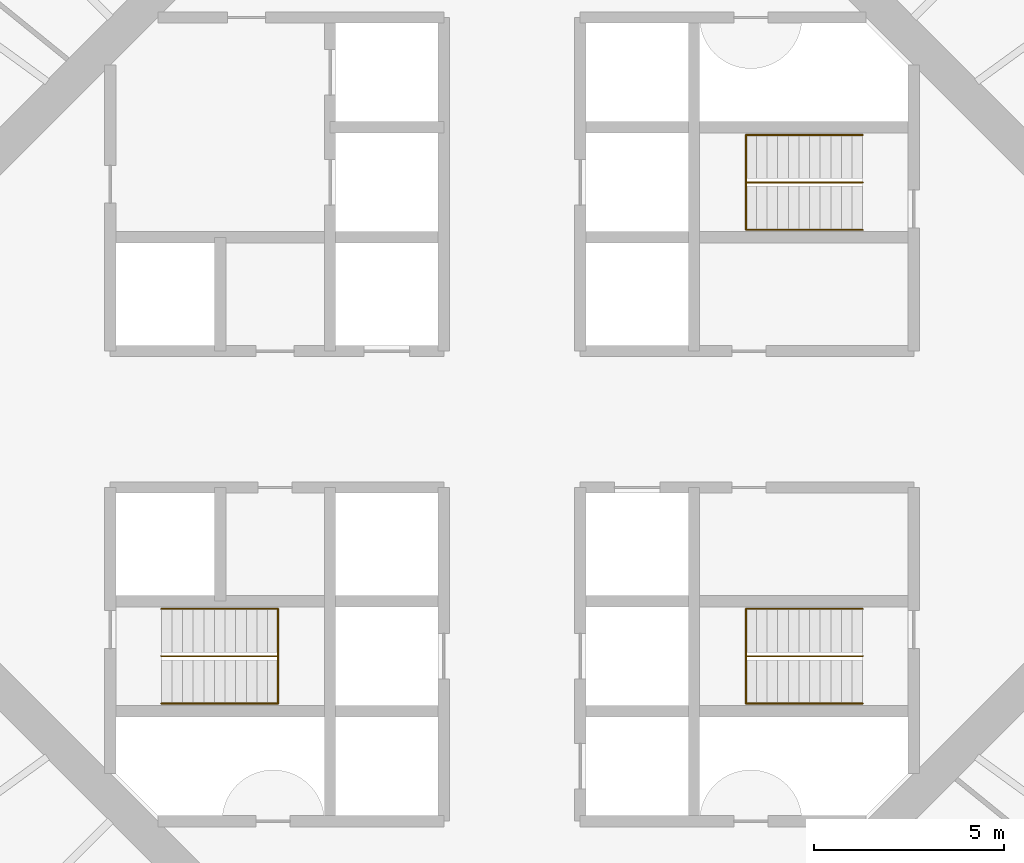
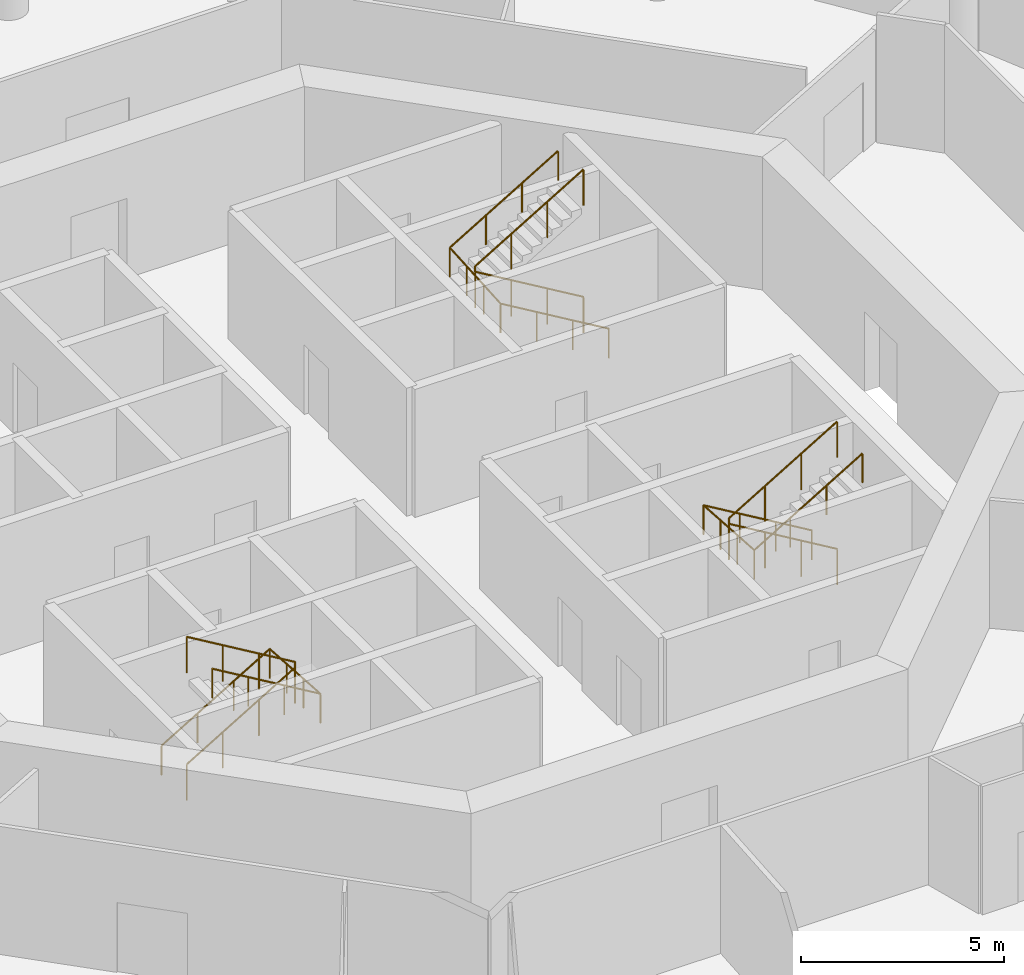
# One storey, part 13 of 13: 6 railings.
"""IFC4 building model written with IfcOpenShell, lengths in metres."""

import ifcopenshell
import ifcopenshell.guid

model = None  # the IFC model being written
_history = None  # IfcOwnerHistory: only IFC2X3 demands one
_inside = {}  # id of a spatial element -> (the spatial element, [elements in it])
_under = {}  # id of a project, library or spatial element -> (it, [spatial elements below it])
_declared = {}  # id of a project -> (the project, [libraries it declares])
_typed = {}  # id of a type object -> (the type object, [elements of that type])
_made_of = {}  # id of a material, layer set ... -> (it, [elements and type objects made of it])


def new_model(schema):
    """Start an empty IFC model of exactly this schema.

    Asked for "IFC4X3", IfcOpenShell would pick the latest addendum, in which some entities
    have other attributes; the version numbers below select the first issue.
    IFC2X3 requires an IfcOwnerHistory on every rooted entity: one is made here for all.
    """
    global model, _history
    if schema == "IFC4X3":
        model = ifcopenshell.file(schema_version=(4, 3, 0, 0))
    else:
        model = ifcopenshell.file(schema=schema)
    _inside.clear()
    _under.clear()
    _declared.clear()
    _typed.clear()
    _made_of.clear()
    _history = None
    if model.schema == "IFC2X3":
        org = make("IfcOrganization", Name="unknown")
        user = make(
            "IfcPersonAndOrganization",
            ThePerson=make("IfcPerson", FamilyName="unknown"),
            TheOrganization=org,
        )
        app = make(
            "IfcApplication",
            ApplicationDeveloper=org,
            Version="unknown",
            ApplicationFullName="unknown",
            ApplicationIdentifier="unknown",
        )
        _history = make(
            "IfcOwnerHistory",
            OwningUser=user,
            OwningApplication=app,
            ChangeAction="ADDED",
            CreationDate=0,
        )
    return model


def make(cls, **values):
    """One entity of the class cls with the attributes given. An attribute that is None is left unset."""
    return model.create_entity(
        cls, **{name: value for name, value in values.items() if value is not None}
    )


def rooted(cls, **values):
    """An entity with a GlobalId (a new one), such as an element, a storey or a relation."""
    return make(cls, GlobalId=ifcopenshell.guid.new(), OwnerHistory=_history, **values)


def si_unit(unit_type, name, prefix=None):
    """IfcSIUnit, for example si_unit("LENGTHUNIT", "METRE", prefix="MILLI")."""
    return make("IfcSIUnit", UnitType=unit_type, Prefix=prefix, Name=name)


def assignment(units):
    """IfcUnitAssignment: the units of a project."""
    return None if units is None else make("IfcUnitAssignment", Units=units)


def point(xyz):
    """IfcCartesianPoint."""
    return None if xyz is None else make("IfcCartesianPoint", Coordinates=xyz)


def direction(xyz):
    """IfcDirection."""
    return None if xyz is None else make("IfcDirection", DirectionRatios=xyz)


def frame(location, z_axis=None, x_axis=None):
    """IfcAxis2Placement3D, a coordinate frame: its origin and axes. An axis left out is left unset."""
    return make(
        "IfcAxis2Placement3D",
        Location=point(location),
        Axis=direction(z_axis),
        RefDirection=direction(x_axis),
    )


def frame_2d(location, x_axis=None):
    """IfcAxis2Placement2D, a coordinate frame in the plane: its origin and x axis."""
    return make(
        "IfcAxis2Placement2D", Location=point(location), RefDirection=direction(x_axis)
    )


def origin():
    """The frame at (0, 0, 0) with its axes left unset."""
    return frame((0.0, 0.0, 0.0))


def origin_2d():
    """The frame at (0, 0) in the plane with its x axis left unset."""
    return frame_2d((0.0, 0.0))


def place(relative_to, where):
    """IfcLocalPlacement: puts the frame where relative to a parent placement (None: the world)."""
    return make(
        "IfcLocalPlacement", PlacementRelTo=relative_to, RelativePlacement=where
    )


def context(
    kind, dimensions, precision=None, world=None, true_north=None, identifier=None
):
    """IfcGeometricRepresentationContext, for example the 3D "Model" context."""
    return make(
        "IfcGeometricRepresentationContext",
        ContextIdentifier=identifier,
        ContextType=kind,
        CoordinateSpaceDimension=dimensions,
        Precision=precision,
        WorldCoordinateSystem=world,
        TrueNorth=true_north,
    )


def subcontext(parent, identifier, kind, view, scale=None):
    """IfcGeometricRepresentationSubContext, for example "Body" below "Model"."""
    return make(
        "IfcGeometricRepresentationSubContext",
        ContextIdentifier=identifier,
        ContextType=kind,
        ParentContext=parent,
        TargetScale=scale,
        TargetView=view,
    )


def project(units=None, contexts=None):
    """IfcProject with its units and contexts."""
    return rooted(
        "IfcProject",
        Name="project",
        RepresentationContexts=contexts,
        UnitsInContext=assignment(units),
    )


def spatial(cls, under=None, at=None, **own):
    """A site, building, storey or space (cls), placed at a placement, below another one or the project."""
    s = rooted(cls, ObjectPlacement=at, **own)
    if under is not None:
        _under.setdefault(under.id(), (under, []))[1].append(s)
    return s


def profile(cls, at=None, kind="AREA", **sizes):
    """A parametric profile (cls). Its sizes go by their IFC names, for example OverallWidth=200.0."""
    return make(cls, ProfileType=kind, Position=at, **sizes)


def circle(**sizes):
    """IfcCircleProfileDef."""
    return profile("IfcCircleProfileDef", **sizes)


def extrude(swept, where, along, depth):
    """IfcExtrudedAreaSolid: the profile swept, set in the frame where, extruded along a direction by depth."""
    return make(
        "IfcExtrudedAreaSolid",
        SweptArea=swept,
        Position=where,
        ExtrudedDirection=direction(along),
        Depth=depth,
    )


def shape(context_of_items, identifier, shape_type, items):
    """IfcShapeRepresentation: the items that make up one representation, for example the "Body"."""
    return make(
        "IfcShapeRepresentation",
        ContextOfItems=context_of_items,
        RepresentationIdentifier=identifier,
        RepresentationType=shape_type,
        Items=items,
    )


def material(Name=None, Category=None):
    """IfcMaterial."""
    return make("IfcMaterial", Name=Name, Category=Category)


def made_of(thing, what):
    """Note that an element or type object is made of a material, layer set ...; save() writes the relation."""
    if what is not None:
        _made_of.setdefault(what.id(), (what, []))[1].append(thing)
    return thing


def type_object(cls, material=None, **own):
    """A type object (cls), such as IfcWallType, which elements share."""
    return made_of(rooted(cls, **own), material)


def element(
    cls,
    number,
    at=None,
    inside=None,
    cuts=None,
    type_object=None,
    material=None,
    context=None,
    identifier="Body",
    shape_type=None,
    held_by="IfcProductDefinitionShape",
    body=None,
    shapes=None,
    **own,
):
    """One element of the class cls, such as IfcWall. Its Tag is "e" and its number.

    at: its placement. inside: the storey or other place that contains it. cuts: it is an
    opening in that element (IfcRelVoidsElement). A single representation is given by context,
    identifier, shape_type and body (its items); several are given by shapes. held_by: the class
    of the entity that holds the representations. save() writes the other relations.
    """
    e = rooted(cls, Tag="e%d" % number, ObjectPlacement=at, **own)
    if body is not None:
        shapes = [shape(context, identifier, shape_type, body)]
    if shapes is not None:
        e.Representation = make(held_by, Representations=shapes)
    if inside is not None:
        _inside.setdefault(inside.id(), (inside, []))[1].append(e)
    if cuts is not None:
        rooted(
            "IfcRelVoidsElement", RelatingBuildingElement=cuts, RelatedOpeningElement=e
        )
    if type_object is not None:
        _typed.setdefault(type_object.id(), (type_object, []))[1].append(e)
    return made_of(e, material)


def aggregate(whole, parts):
    """IfcRelAggregates: a whole, such as a stair, and the parts it consists of."""
    return rooted("IfcRelAggregates", RelatingObject=whole, RelatedObjects=parts)


def save(model, path):
    """Write the relations noted so far, then the file.

    IfcRelAggregates (storeys below a building ...), IfcRelContainedInSpatialStructure (elements
    in a storey), IfcRelDefinesByType, IfcRelAssociatesMaterial and IfcRelDeclares: one each for
    every whole, place, type object, material and project.
    """
    for whole, parts in _under.values():
        aggregate(whole, parts)
    for where, things in _inside.values():
        rooted(
            "IfcRelContainedInSpatialStructure",
            RelatedElements=things,
            RelatingStructure=where,
        )
    for kind, things in _typed.values():
        rooted("IfcRelDefinesByType", RelatedObjects=things, RelatingType=kind)
    for what, things in _made_of.values():
        rooted("IfcRelAssociatesMaterial", RelatedObjects=things, RelatingMaterial=what)
    for by, libraries in _declared.values():
        rooted("IfcRelDeclares", RelatingContext=by, RelatedDefinitions=libraries)
    model.write(path)


model = new_model("IFC4")

# Units and contexts
model_context = context("Model", 3, precision=1e-05, world=origin(), true_north=direction((0.0, 1.0)))
body_context = subcontext(model_context, "Body", "Model", "MODEL_VIEW")
ifc_project = project(units=[si_unit("LENGTHUNIT", "METRE"), si_unit("AREAUNIT", "SQUARE_METRE"), si_unit("VOLUMEUNIT", "CUBIC_METRE"), si_unit("PLANEANGLEUNIT", "RADIAN"), si_unit("MASSUNIT", "GRAM", prefix="KILO")], contexts=[model_context])

# Site, building, storey
site_placement = place(None, origin())
site = spatial("IfcSite", under=ifc_project, at=site_placement, CompositionType="ELEMENT")
building_placement = place(site_placement, origin())
building = spatial("IfcBuilding", under=site, at=building_placement, Name="Entoto Ring Tower", CompositionType="ELEMENT")
storey_placement = place(building_placement, frame((0.0, 0.0, 250.0)))
storey = spatial("IfcBuildingStorey", under=building, at=storey_placement, Name="L57", CompositionType="ELEMENT", Elevation=250.0)

# Railings
ifc_material_1 = material(Name="Steel S275", Category="steel")
railing_type_1 = type_object("IfcRailingType", Name="Stair guard 1100 mm steel", PredefinedType="GUARDRAIL", material=ifc_material_1)
railing_1_placement = place(storey_placement, frame((99.25, 86.25, 0.166748046875)))
element("IfcRailing", 1, at=railing_1_placement, inside=storey, type_object=railing_type_1, Name="Guard ST1", PredefinedType="GUARDRAIL", context=body_context, shape_type="SweptSolid", body=[
    extrude(circle(Radius=0.02392578125, at=origin_2d()), frame((0.0, 0.0, 1.076171875), z_axis=(-0.859308565015, 0.0, 0.511457515432), x_axis=(0.0, -1.0, 0.0)), (0.0, 0.0, 1.0), 3.58447265625),
    extrude(circle(Radius=0.02392578125, at=origin_2d()), frame((-3.080078125, 0.0, 2.9091796875), z_axis=(0.0, 0.0, 1.0), x_axis=(1.0, 0.0, 0.0)), (0.0, 0.0, 1.0), 0.166748046875),
    extrude(circle(Radius=0.02392578125, at=origin_2d()), frame((-3.080078125, 0.0, 3.076171875), z_axis=(0.859308565015, 0.0, 0.511457515432), x_axis=(0.0, 1.0, 0.0)), (0.0, 0.0, 1.0), 3.58447265625),
    extrude(circle(Radius=0.02099609375, at=origin_2d()), origin(), (0.0, 0.0, 1.0), 1.052001953125),
    extrude(circle(Radius=0.02099609375, at=origin_2d()), frame((-1.026611328125, 0.0, 0.611083984375)), (0.0, 0.0, 1.0), 1.052001953125),
    extrude(circle(Radius=0.02099609375, at=origin_2d()), frame((-2.053466796875, 0.0, 1.22216796875)), (0.0, 0.0, 1.0), 1.052001953125),
    extrude(circle(Radius=0.02099609375, at=origin_2d()), frame((-3.080078125, 0.0, 1.833251953125)), (0.0, 0.0, 1.0), 1.052001953125),
    extrude(circle(Radius=0.02099609375, at=origin_2d()), frame((-3.080078125, 0.0, 2.0)), (0.0, 0.0, 1.0), 1.052001953125),
    extrude(circle(Radius=0.02099609375, at=origin_2d()), frame((-2.053466796875, 0.0, 2.611083984375)), (0.0, 0.0, 1.0), 1.052001953125),
    extrude(circle(Radius=0.02099609375, at=origin_2d()), frame((-1.026611328125, 0.0, 3.22216796875)), (0.0, 0.0, 1.0), 1.052001953125),
    extrude(circle(Radius=0.02099609375, at=origin_2d()), frame((0.0, 0.0, 3.833251953125)), (0.0, 0.0, 1.0), 1.052001953125),
])
railing_2_placement = place(storey_placement, frame((80.75, 73.75, 0.166748046875)))
element("IfcRailing", 2, at=railing_2_placement, inside=storey, type_object=railing_type_1, Name="Guard ST2", PredefinedType="GUARDRAIL", context=body_context, shape_type="SweptSolid", body=[
    extrude(circle(Radius=0.02392578125, at=origin_2d()), frame((0.0, 0.0, 1.076171875), z_axis=(0.859308565015, 0.0, 0.511457515432), x_axis=(0.0, 1.0, 0.0)), (0.0, 0.0, 1.0), 3.58447265625),
    extrude(circle(Radius=0.02392578125, at=origin_2d()), frame((3.080078125, 0.0, 2.9091796875), z_axis=(0.0, 0.0, 1.0), x_axis=(1.0, 0.0, 0.0)), (0.0, 0.0, 1.0), 0.166748046875),
    extrude(circle(Radius=0.02392578125, at=origin_2d()), frame((3.080078125, 0.0, 3.076171875), z_axis=(-0.859308565015, 0.0, 0.511457515432), x_axis=(0.0, -1.0, 0.0)), (0.0, 0.0, 1.0), 3.58447265625),
    extrude(circle(Radius=0.02099609375, at=origin_2d()), origin(), (0.0, 0.0, 1.0), 1.052001953125),
    extrude(circle(Radius=0.02099609375, at=origin_2d()), frame((1.026611328125, 0.0, 0.611083984375)), (0.0, 0.0, 1.0), 1.052001953125),
    extrude(circle(Radius=0.02099609375, at=origin_2d()), frame((2.053466796875, 0.0, 1.22216796875)), (0.0, 0.0, 1.0), 1.052001953125),
    extrude(circle(Radius=0.02099609375, at=origin_2d()), frame((3.080078125, 0.0, 1.833251953125)), (0.0, 0.0, 1.0), 1.052001953125),
    extrude(circle(Radius=0.02099609375, at=origin_2d()), frame((3.080078125, 0.0, 2.0)), (0.0, 0.0, 1.0), 1.052001953125),
    extrude(circle(Radius=0.02099609375, at=origin_2d()), frame((2.053466796875, 0.0, 2.611083984375)), (0.0, 0.0, 1.0), 1.052001953125),
    extrude(circle(Radius=0.02099609375, at=origin_2d()), frame((1.026611328125, 0.0, 3.22216796875)), (0.0, 0.0, 1.0), 1.052001953125),
    extrude(circle(Radius=0.02099609375, at=origin_2d()), frame((0.0, 0.0, 3.833251953125)), (0.0, 0.0, 1.0), 1.052001953125),
])
railing_3_placement = place(storey_placement, frame((99.25, 73.75, 0.166748046875)))
element("IfcRailing", 3, at=railing_3_placement, inside=storey, type_object=railing_type_1, Name="Guard ST3", PredefinedType="GUARDRAIL", context=body_context, shape_type="SweptSolid", body=[
    extrude(circle(Radius=0.02392578125, at=origin_2d()), frame((0.0, 0.0, 1.076171875), z_axis=(-0.859308565015, 0.0, 0.511457515432), x_axis=(0.0, -1.0, 0.0)), (0.0, 0.0, 1.0), 3.58447265625),
    extrude(circle(Radius=0.02392578125, at=origin_2d()), frame((-3.080078125, 0.0, 2.9091796875), z_axis=(0.0, 0.0, 1.0), x_axis=(1.0, 0.0, 0.0)), (0.0, 0.0, 1.0), 0.166748046875),
    extrude(circle(Radius=0.02392578125, at=origin_2d()), frame((-3.080078125, 0.0, 3.076171875), z_axis=(0.859308565015, 0.0, 0.511457515432), x_axis=(0.0, 1.0, 0.0)), (0.0, 0.0, 1.0), 3.58447265625),
    extrude(circle(Radius=0.02099609375, at=origin_2d()), origin(), (0.0, 0.0, 1.0), 1.052001953125),
    extrude(circle(Radius=0.02099609375, at=origin_2d()), frame((-1.026611328125, 0.0, 0.611083984375)), (0.0, 0.0, 1.0), 1.052001953125),
    extrude(circle(Radius=0.02099609375, at=origin_2d()), frame((-2.053466796875, 0.0, 1.22216796875)), (0.0, 0.0, 1.0), 1.052001953125),
    extrude(circle(Radius=0.02099609375, at=origin_2d()), frame((-3.080078125, 0.0, 1.833251953125)), (0.0, 0.0, 1.0), 1.052001953125),
    extrude(circle(Radius=0.02099609375, at=origin_2d()), frame((-3.080078125, 0.0, 2.0)), (0.0, 0.0, 1.0), 1.052001953125),
    extrude(circle(Radius=0.02099609375, at=origin_2d()), frame((-2.053466796875, 0.0, 2.611083984375)), (0.0, 0.0, 1.0), 1.052001953125),
    extrude(circle(Radius=0.02099609375, at=origin_2d()), frame((-1.026611328125, 0.0, 3.22216796875)), (0.0, 0.0, 1.0), 1.052001953125),
    extrude(circle(Radius=0.02099609375, at=origin_2d()), frame((0.0, 0.0, 3.833251953125)), (0.0, 0.0, 1.0), 1.052001953125),
])
ifc_material_2 = material(Name="Steel S275", Category="steel")
railing_type_2 = type_object("IfcRailingType", Name="Stair handrail 900 mm steel", PredefinedType="HANDRAIL", material=ifc_material_2)
railing_4_placement = place(storey_placement, frame((99.25, 85.0, 0.166748046875)))
element("IfcRailing", 4, at=railing_4_placement, inside=storey, type_object=railing_type_2, Name="Handrail ST1", PredefinedType="HANDRAIL", context=body_context, shape_type="SweptSolid", body=[
    extrude(circle(Radius=0.02392578125, at=origin_2d()), frame((0.0, 0.0, 0.8759765625), z_axis=(-0.859308565015, 0.0, 0.511457515432), x_axis=(0.0, -1.0, 0.0)), (0.0, 0.0, 1.0), 3.58447265625),
    extrude(circle(Radius=0.02392578125, at=origin_2d()), frame((-3.080078125, 0.0, 2.708984375), z_axis=(0.0, 0.997783001586, 0.066551346688), x_axis=(-1.0, 0.0, 0.0)), (0.0, 0.0, 1.0), 2.505615234375),
    extrude(circle(Radius=0.02392578125, at=origin_2d()), frame((-3.080078125, 2.5, 2.8759765625), z_axis=(0.859308565015, 0.0, 0.511457515432), x_axis=(0.0, 1.0, 0.0)), (0.0, 0.0, 1.0), 3.58447265625),
    extrude(circle(Radius=0.02099609375, at=origin_2d()), origin(), (0.0, 0.0, 1.0), 0.851806640625),
    extrude(circle(Radius=0.02099609375, at=origin_2d()), frame((-1.026611328125, 0.0, 0.611083984375)), (0.0, 0.0, 1.0), 0.851806640625),
    extrude(circle(Radius=0.02099609375, at=origin_2d()), frame((-2.053466796875, 0.0, 1.22216796875)), (0.0, 0.0, 1.0), 0.851806640625),
    extrude(circle(Radius=0.02099609375, at=origin_2d()), frame((-3.080078125, 0.0, 1.833251953125)), (0.0, 0.0, 1.0), 0.851806640625),
    extrude(circle(Radius=0.02099609375, at=origin_2d()), frame((-3.080078125, 0.833251953125, 1.888916015625)), (0.0, 0.0, 1.0), 0.851806640625),
    extrude(circle(Radius=0.02099609375, at=origin_2d()), frame((-3.080078125, 1.666748046875, 1.9443359375)), (0.0, 0.0, 1.0), 0.851806640625),
    extrude(circle(Radius=0.02099609375, at=origin_2d()), frame((-3.080078125, 2.5, 2.0)), (0.0, 0.0, 1.0), 0.851806640625),
    extrude(circle(Radius=0.02099609375, at=origin_2d()), frame((-2.053466796875, 2.5, 2.611083984375)), (0.0, 0.0, 1.0), 0.851806640625),
    extrude(circle(Radius=0.02099609375, at=origin_2d()), frame((-1.026611328125, 2.5, 3.22216796875)), (0.0, 0.0, 1.0), 0.851806640625),
    extrude(circle(Radius=0.02099609375, at=origin_2d()), frame((0.0, 2.5, 3.833251953125)), (0.0, 0.0, 1.0), 0.851806640625),
])
railing_5_placement = place(storey_placement, frame((80.75, 75.0, 0.166748046875)))
element("IfcRailing", 5, at=railing_5_placement, inside=storey, type_object=railing_type_2, Name="Handrail ST2", PredefinedType="HANDRAIL", context=body_context, shape_type="SweptSolid", body=[
    extrude(circle(Radius=0.02392578125, at=origin_2d()), frame((0.0, 0.0, 0.8759765625), z_axis=(0.859308565015, 0.0, 0.511457515432), x_axis=(0.0, 1.0, 0.0)), (0.0, 0.0, 1.0), 3.58447265625),
    extrude(circle(Radius=0.02392578125, at=origin_2d()), frame((3.080078125, 0.0, 2.708984375), z_axis=(0.0, -0.997783001586, 0.066551346688), x_axis=(1.0, 0.0, 0.0)), (0.0, 0.0, 1.0), 2.505615234375),
    extrude(circle(Radius=0.02392578125, at=origin_2d()), frame((3.080078125, -2.5, 2.8759765625), z_axis=(-0.859308565015, 0.0, 0.511457515432), x_axis=(0.0, -1.0, 0.0)), (0.0, 0.0, 1.0), 3.58447265625),
    extrude(circle(Radius=0.02099609375, at=origin_2d()), origin(), (0.0, 0.0, 1.0), 0.851806640625),
    extrude(circle(Radius=0.02099609375, at=origin_2d()), frame((1.026611328125, 0.0, 0.611083984375)), (0.0, 0.0, 1.0), 0.851806640625),
    extrude(circle(Radius=0.02099609375, at=origin_2d()), frame((2.053466796875, 0.0, 1.22216796875)), (0.0, 0.0, 1.0), 0.851806640625),
    extrude(circle(Radius=0.02099609375, at=origin_2d()), frame((3.080078125, 0.0, 1.833251953125)), (0.0, 0.0, 1.0), 0.851806640625),
    extrude(circle(Radius=0.02099609375, at=origin_2d()), frame((3.080078125, -0.833251953125, 1.888916015625)), (0.0, 0.0, 1.0), 0.851806640625),
    extrude(circle(Radius=0.02099609375, at=origin_2d()), frame((3.080078125, -1.666748046875, 1.9443359375)), (0.0, 0.0, 1.0), 0.851806640625),
    extrude(circle(Radius=0.02099609375, at=origin_2d()), frame((3.080078125, -2.5, 2.0)), (0.0, 0.0, 1.0), 0.851806640625),
    extrude(circle(Radius=0.02099609375, at=origin_2d()), frame((2.053466796875, -2.5, 2.611083984375)), (0.0, 0.0, 1.0), 0.851806640625),
    extrude(circle(Radius=0.02099609375, at=origin_2d()), frame((1.026611328125, -2.5, 3.22216796875)), (0.0, 0.0, 1.0), 0.851806640625),
    extrude(circle(Radius=0.02099609375, at=origin_2d()), frame((0.0, -2.5, 3.833251953125)), (0.0, 0.0, 1.0), 0.851806640625),
])
railing_6_placement = place(storey_placement, frame((99.25, 75.0, 0.166748046875)))
element("IfcRailing", 6, at=railing_6_placement, inside=storey, type_object=railing_type_2, Name="Handrail ST3", PredefinedType="HANDRAIL", context=body_context, shape_type="SweptSolid", body=[
    extrude(circle(Radius=0.02392578125, at=origin_2d()), frame((0.0, 0.0, 0.8759765625), z_axis=(-0.859308565015, 0.0, 0.511457515432), x_axis=(0.0, -1.0, 0.0)), (0.0, 0.0, 1.0), 3.58447265625),
    extrude(circle(Radius=0.02392578125, at=origin_2d()), frame((-3.080078125, 0.0, 2.708984375), z_axis=(0.0, -0.997783001586, 0.066551346688), x_axis=(1.0, 0.0, 0.0)), (0.0, 0.0, 1.0), 2.505615234375),
    extrude(circle(Radius=0.02392578125, at=origin_2d()), frame((-3.080078125, -2.5, 2.8759765625), z_axis=(0.859308565015, 0.0, 0.511457515432), x_axis=(0.0, 1.0, 0.0)), (0.0, 0.0, 1.0), 3.58447265625),
    extrude(circle(Radius=0.02099609375, at=origin_2d()), origin(), (0.0, 0.0, 1.0), 0.851806640625),
    extrude(circle(Radius=0.02099609375, at=origin_2d()), frame((-1.026611328125, 0.0, 0.611083984375)), (0.0, 0.0, 1.0), 0.851806640625),
    extrude(circle(Radius=0.02099609375, at=origin_2d()), frame((-2.053466796875, 0.0, 1.22216796875)), (0.0, 0.0, 1.0), 0.851806640625),
    extrude(circle(Radius=0.02099609375, at=origin_2d()), frame((-3.080078125, 0.0, 1.833251953125)), (0.0, 0.0, 1.0), 0.851806640625),
    extrude(circle(Radius=0.02099609375, at=origin_2d()), frame((-3.080078125, -0.833251953125, 1.888916015625)), (0.0, 0.0, 1.0), 0.851806640625),
    extrude(circle(Radius=0.02099609375, at=origin_2d()), frame((-3.080078125, -1.666748046875, 1.9443359375)), (0.0, 0.0, 1.0), 0.851806640625),
    extrude(circle(Radius=0.02099609375, at=origin_2d()), frame((-3.080078125, -2.5, 2.0)), (0.0, 0.0, 1.0), 0.851806640625),
    extrude(circle(Radius=0.02099609375, at=origin_2d()), frame((-2.053466796875, -2.5, 2.611083984375)), (0.0, 0.0, 1.0), 0.851806640625),
    extrude(circle(Radius=0.02099609375, at=origin_2d()), frame((-1.026611328125, -2.5, 3.22216796875)), (0.0, 0.0, 1.0), 0.851806640625),
    extrude(circle(Radius=0.02099609375, at=origin_2d()), frame((0.0, -2.5, 3.833251953125)), (0.0, 0.0, 1.0), 0.851806640625),
])

save(model, "model.ifc")
